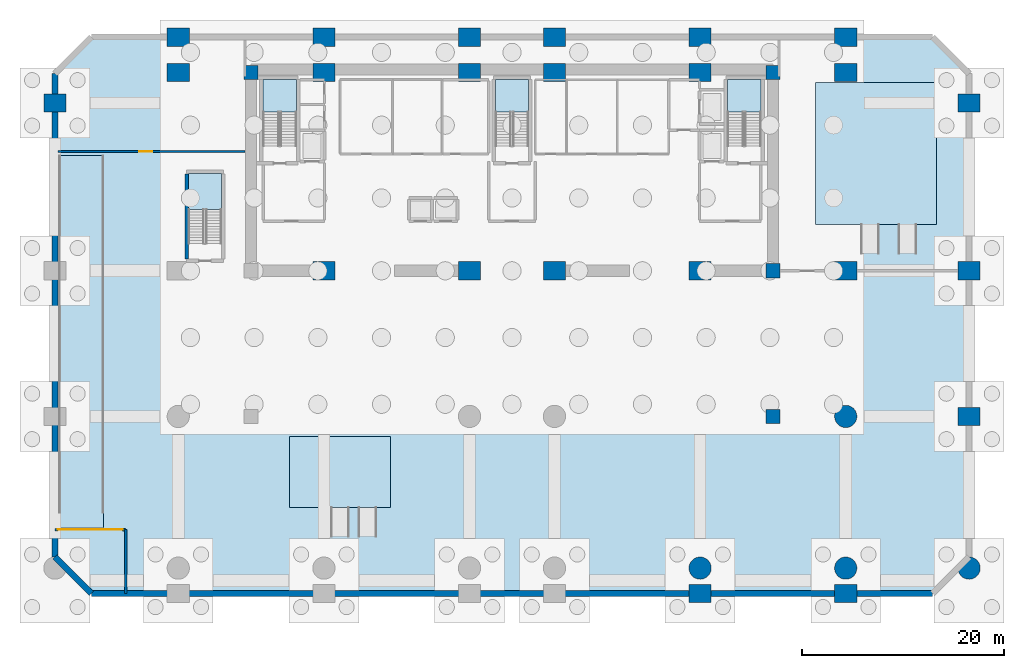
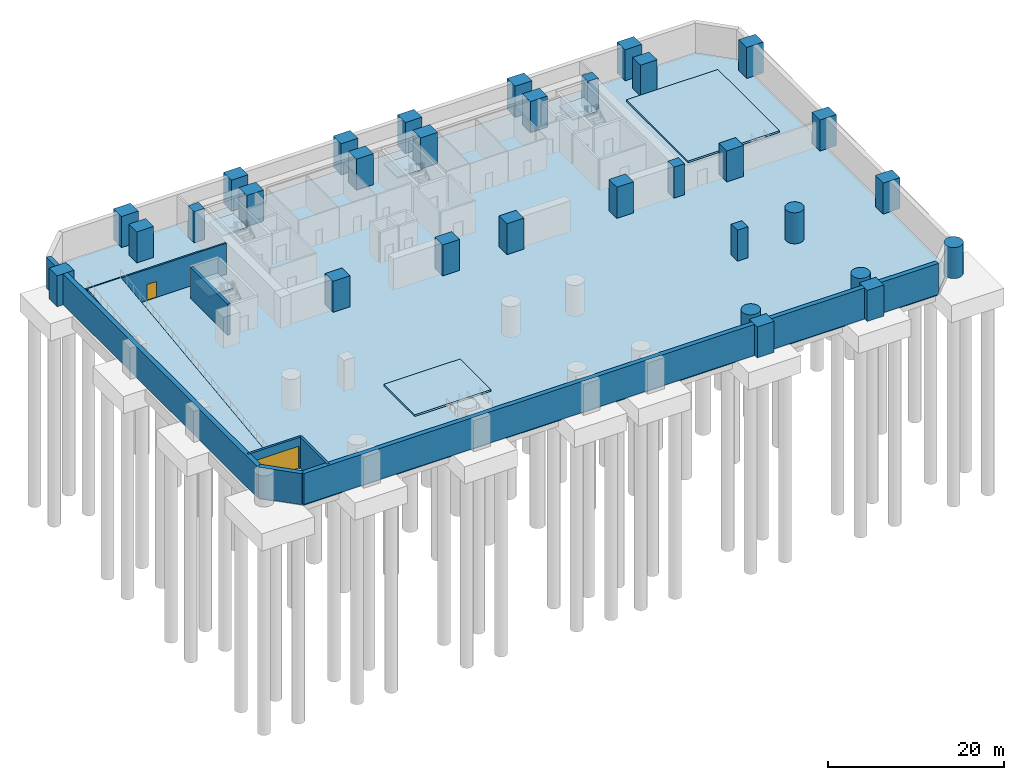
# One storey, part 2 of 10: 31 columns, 8 slabs, 7 walls, 2 doors, 2 openings, 4 elements without a shape of their own.
"""IFC4 building model written with IfcOpenShell, lengths in metres."""

from ifc_helpers import new_model, si_unit, direction, frame, frame_2d, origin, origin_2d, place, context, subcontext, project, spatial, polyline, rectangle, circle, outline, extrude, material, layer, layer_set, material_profile, profile_set, type_object, element, fill, aggregate, save


model = new_model("IFC4")

# Units and contexts
model_context = context("Model", 3, precision=1e-05, world=origin(), true_north=direction((0.0, 1.0)))
body_context = subcontext(model_context, "Body", "Model", "MODEL_VIEW")
ifc_project = project(units=[si_unit("LENGTHUNIT", "METRE"), si_unit("AREAUNIT", "SQUARE_METRE"), si_unit("VOLUMEUNIT", "CUBIC_METRE"), si_unit("PLANEANGLEUNIT", "RADIAN"), si_unit("MASSUNIT", "GRAM", prefix="KILO")], contexts=[model_context])

# Site, building, storey
site_placement = place(None, origin())
site = spatial("IfcSite", under=ifc_project, at=site_placement, CompositionType="ELEMENT")
building_placement = place(site_placement, origin())
building = spatial("IfcBuilding", under=site, at=building_placement, Name="Kaelvorn Grand Hotel", CompositionType="ELEMENT")
storey_placement = place(building_placement, frame((0.0, 0.0, -9.199951171875)))
storey = spatial("IfcBuildingStorey", under=building, at=storey_placement, Name="B02", CompositionType="ELEMENT", Elevation=-9.199951171875)

# Columns
ifc_material_1 = material(Name="Concrete C80/95", Category="concrete")
ifc_material_profile_1 = material_profile(ifc_material_1, rectangle(XDim=2.199951171875, YDim=1.800048828125, at=origin_2d()), Name="PILOTIS 2200x1800")
ifc_profile_set_1 = profile_set([ifc_material_profile_1], Name="Concrete C80/95")
column_type_1 = type_object("IfcColumnType", Name="COL-PILOTIS-2200x1800", PredefinedType="USERDEFINED", material=ifc_profile_set_1)
for number, where, z_axis, x_axis, name in (
    (1, (60.60009765625, -2.5, 0.0), (0.0, 0.0, 1.0), (1.0, 0.0, 0.0), "B02 Pilotis Mega Column PSP-06"),
    (2, (75.0, -2.5, 0.0), (0.0, 0.0, 1.0), (1.0, 0.0, 0.0), "B02 Pilotis Mega Column PSP-07"),
    (3, (87.199951171875, 15.0, 0.0), (0.0, 0.0, 1.0), (1.0, 0.0, 0.0), "B02 Pilotis Mega Column PE-01"),
    (4, (87.199951171875, 29.39990234375, 0.0), (0.0, 0.0, 1.0), (1.0, 0.0, 0.0), "B02 Pilotis Mega Column PE-02"),
    (5, (-3.199951171875, 46.0, 0.0), (0.0, 0.0, 1.0), (1.0, 0.0, 0.0), "B02 Pilotis Mega Column PW-03"),
    (6, (87.199951171875, 46.0, 0.0), (0.0, 0.0, 1.0), (1.0, 0.0, 0.0), "B02 Pilotis Mega Column PE-03"),
    (7, (9.0, 49.0, 0.0), (0.0, 0.0, 1.0), (1.0, 0.0, 0.0), "B02 Pilotis Mega Column PN-01"),
    (8, (9.0, 52.5, 0.0), (0.0, 0.0, 1.0), (1.0, 0.0, 0.0), "B02 Pilotis Mega Column PNP-01"),
    (9, (23.39990234375, 29.39990234375, 0.0), (0.0, 0.0, 1.0), (1.0, 0.0, 0.0), "B02 Pilotis Mega Column PC-02"),
    (10, (23.39990234375, 49.0, 0.0), (0.0, 0.0, 1.0), (1.0, 0.0, 0.0), "B02 Pilotis Mega Column PN-02"),
    (11, (23.39990234375, 52.5, 0.0), (0.0, 0.0, 1.0), (1.0, 0.0, 0.0), "B02 Pilotis Mega Column PNP-02"),
    (12, (37.800048828125, 29.39990234375, 0.0), (0.0, 0.0, 1.0), (1.0, 0.0, 0.0), "B02 Pilotis Mega Column PC-03"),
    (13, (37.800048828125, 49.0, 0.0), (0.0, 0.0, 1.0), (1.0, 0.0, 0.0), "B02 Pilotis Mega Column PN-03"),
    (14, (37.800048828125, 52.5, 0.0), (0.0, 0.0, 1.0), (1.0, 0.0, 0.0), "B02 Pilotis Mega Column PNP-03"),
    (15, (46.199951171875, 29.39990234375, 0.0), (0.0, 0.0, 1.0), (1.0, 0.0, 0.0), "B02 Pilotis Mega Column PC-04"),
    (16, (46.199951171875, 49.0, 0.0), (0.0, 0.0, 1.0), (1.0, 0.0, 0.0), "B02 Pilotis Mega Column PN-04"),
    (17, (46.199951171875, 52.5, 0.0), (0.0, 0.0, 1.0), (1.0, 0.0, 0.0), "B02 Pilotis Mega Column PNP-04"),
    (18, (60.60009765625, 29.39990234375, 0.0), (0.0, 0.0, 1.0), (1.0, 0.0, 0.0), "B02 Pilotis Mega Column PC-05"),
    (19, (60.60009765625, 49.0, 0.0), (0.0, 0.0, 1.0), (1.0, 0.0, 0.0), "B02 Pilotis Mega Column PN-05"),
    (20, (60.60009765625, 52.5, 0.0), (0.0, 0.0, 1.0), (1.0, 0.0, 0.0), "B02 Pilotis Mega Column PNP-05"),
    (21, (75.0, 29.39990234375, 0.0), (0.0, 0.0, 1.0), (1.0, 0.0, 0.0), "B02 Pilotis Mega Column PC-06"),
    (22, (75.0, 49.0, 0.0), (0.0, 0.0, 1.0), (1.0, 0.0, 0.0), "B02 Pilotis Mega Column PN-06"),
    (23, (75.0, 52.5, 0.0), (0.0, 0.0, 1.0), (1.0, 0.0, 0.0), "B02 Pilotis Mega Column PNP-06"),
):
    element("IfcColumn", number, at=place(storey_placement, frame(where, z_axis=z_axis, x_axis=x_axis)), inside=storey, type_object=column_type_1, Name=name, ObjectType="PILOTIS", PredefinedType="USERDEFINED", context=body_context, shape_type="SweptSolid", body=[
        extrude(rectangle(XDim=2.199951171875, YDim=1.800048828125, at=origin_2d()), origin(), (0.0, 0.0, 1.0), 4.300048828125),
    ])
ifc_material_profile_2 = material_profile(ifc_material_1, circle(Radius=1.10009765625, at=origin_2d()), Name="PILOTIS D2200")
ifc_profile_set_2 = profile_set([ifc_material_profile_2], Name="Concrete C80/95")
column_type_2 = type_object("IfcColumnType", Name="COL-PILOTIS-D2200", PredefinedType="USERDEFINED", material=ifc_profile_set_2)
for number, where, z_axis, x_axis, name in (
    (24, (60.60009765625, 0.0, 0.0), (0.0, 0.0, 1.0), (1.0, 0.0, 0.0), "B02 Pilotis Mega Column PS-06"),
    (25, (75.0, 0.0, 0.0), (0.0, 0.0, 1.0), (1.0, 0.0, 0.0), "B02 Pilotis Mega Column PS-07"),
    (26, (87.199951171875, 0.0, 0.0), (0.0, 0.0, 1.0), (1.0, 0.0, 0.0), "B02 Pilotis Mega Column PS-08"),
    (27, (75.0, 15.0, 0.0), (0.0, 0.0, 1.0), (1.0, 0.0, 0.0), "B02 Pilotis Mega Column PM-04"),
):
    element("IfcColumn", number, at=place(storey_placement, frame(where, z_axis=z_axis, x_axis=x_axis)), inside=storey, type_object=column_type_2, Name=name, ObjectType="PILOTIS", PredefinedType="USERDEFINED", context=body_context, shape_type="SweptSolid", body=[
        extrude(circle(Radius=1.10009765625, at=origin_2d()), origin(), (0.0, 0.0, 1.0), 4.300048828125),
    ])
ifc_material_profile_3 = material_profile(ifc_material_1, rectangle(XDim=1.39990234375, YDim=1.39990234375, at=origin_2d()), Name="RC COL 1400x1400")
ifc_profile_set_3 = profile_set([ifc_material_profile_3], Name="Concrete C80/95")
column_type_3 = type_object("IfcColumnType", Name="COL-RC-1400-C80", PredefinedType="COLUMN", material=ifc_profile_set_3)
for number, where, z_axis, x_axis, name in (
    (28, (67.800048828125, 15.0, 0.0), (0.0, 0.0, 1.0), (1.0, 0.0, 0.0), "B02 Structural Column PMR-02"),
    (29, (16.199951171875, 49.0, 0.0), (0.0, 0.0, 1.0), (1.0, 0.0, 0.0), "B02 Structural Column PNR-01"),
    (30, (67.800048828125, 29.39990234375, 0.0), (0.0, 0.0, 1.0), (1.0, 0.0, 0.0), "B02 Structural Column PCR-02"),
    (31, (67.800048828125, 49.0, 0.0), (0.0, 0.0, 1.0), (1.0, 0.0, 0.0), "B02 Structural Column PNR-02"),
):
    element("IfcColumn", number, at=place(storey_placement, frame(where, z_axis=z_axis, x_axis=x_axis)), inside=storey, type_object=column_type_3, Name=name, PredefinedType="COLUMN", context=body_context, shape_type="SweptSolid", body=[
        extrude(rectangle(XDim=1.39990234375, YDim=1.39990234375, at=origin_2d()), origin(), (0.0, 0.0, 1.0), 4.300048828125),
    ])

# Slabs
ifc_material_2 = material(Name="Concrete C40/50", Category="concrete")
ifc_layer_1 = layer(ifc_material_2, 0.25)
ifc_layer_set_1 = layer_set([ifc_layer_1], Name="Concrete C40/50")
slab_type_1 = type_object("IfcSlabType", Name="SLB-APRON-250-C40", PredefinedType="BASESLAB", material=ifc_layer_set_1)
slab_1_placement = place(storey_placement, origin())
element("IfcSlab", 32, at=slab_1_placement, inside=storey, type_object=slab_type_1, Name="B02 Plant Equipment Plinth Slab 1", PredefinedType="BASESLAB", context=body_context, shape_type="SweptSolid", body=[
    extrude(outline(polyline([(72.0, 34.0), (84.0, 34.0), (84.0, 48.0), (72.0, 48.0), (72.0, 34.0)])), origin(), (0.0, 0.0, 1.0), 0.239990234375),
])
slab_2_placement = place(storey_placement, origin())
element("IfcSlab", 33, at=slab_2_placement, inside=storey, type_object=slab_type_1, Name="B02 Plant Equipment Plinth Slab 2", PredefinedType="BASESLAB", context=body_context, shape_type="SweptSolid", body=[
    extrude(outline(polyline([(20.0, 6.0), (30.0, 6.0), (30.0, 13.0), (20.0, 13.0), (20.0, 6.0)])), origin(), (0.0, 0.0, 1.0), 0.239990234375),
])
ifc_material_3 = material(Name="Concrete C50/60", Category="concrete")
ifc_layer_2 = layer(ifc_material_3, 0.35009765625)
ifc_layer_set_2 = layer_set([ifc_layer_2], Name="Concrete C50/60")
slab_type_2 = type_object("IfcSlabType", Name="SLB-BASE-350-C50", PredefinedType="BASESLAB", material=ifc_layer_set_2)
slab_3_placement = place(storey_placement, frame((0.0, 0.0, -0.35009765625)))
element("IfcSlab", 34, at=slab_3_placement, inside=storey, type_object=slab_type_2, Name="B02 Basement Mat Top Slab", PredefinedType="BASESLAB", context=body_context, shape_type="SweptSolid", body=[
    extrude(outline(polyline([(0.39990234375, -2.5), (83.60009765625, -2.5), (87.199951171875, 1.10009765625), (87.199951171875, 48.89990234375), (83.60009765625, 52.5), (0.39990234375, 52.5), (-3.199951171875, 48.89990234375), (-3.199951171875, 1.10009765625), (0.39990234375, -2.5)]), holes=[polyline([(-2.820068359375, 3.97998046875), (-2.820068359375, 6.85009765625), (1.6201171875, 6.85009765625), (1.6201171875, 3.97998046875), (-2.820068359375, 3.97998046875)])]), origin(), (0.0, 0.0, 1.0), 0.35009765625),
])

# Stair, slab
stair_type = type_object("IfcStairType", Name="STR-DOG-1560-R01", PredefinedType="HALF_TURN_STAIR", material=ifc_material_2)
stair_1_placement = place(storey_placement, origin())
stair_1 = element("IfcStair", 35, at=stair_1_placement, inside=storey, type_object=stair_type, Name="B02 West Core Exit Stair ST1", PredefinedType="HALF_TURN_STAIR")
ifc_layer_3 = layer(ifc_material_2, 0.199951171875)
ifc_layer_set_3 = layer_set([ifc_layer_3], Name="Concrete C40/50")
slab_type_3 = type_object("IfcSlabType", Name="SLB-LAND-200-C40", PredefinedType="LANDING", material=ifc_layer_set_3)
slab_4_placement = place(storey_placement, frame((0.0, 0.0, 2.099853515625)))
slab_4 = element("IfcSlab", 36, at=slab_4_placement, type_object=slab_type_3, Name="ST1 landing 1", PredefinedType="LANDING", context=body_context, shape_type="SweptSolid", body=[
    extrude(outline(polyline([(20.679931640625, 45.1201171875), (20.679931640625, 48.300048828125), (17.39990234375, 48.300048828125), (17.39990234375, 45.1201171875), (20.679931640625, 45.1201171875)])), origin(), (0.0, 0.0, 1.0), 0.2001953125),
])
aggregate(stair_1, [slab_4])

stair_2_placement = place(storey_placement, origin())
stair_2 = element("IfcStair", 37, at=stair_2_placement, inside=storey, type_object=stair_type, Name="B02 Central Core Exit Stair ST2", PredefinedType="HALF_TURN_STAIR")
slab_5_placement = place(storey_placement, frame((0.0, 0.0, 2.099853515625)))
slab_5 = element("IfcSlab", 38, at=slab_5_placement, type_object=slab_type_3, Name="ST2 landing 1", PredefinedType="LANDING", context=body_context, shape_type="SweptSolid", body=[
    extrude(outline(polyline([(43.639892578125, 45.1201171875), (43.639892578125, 48.300048828125), (40.360107421875, 48.300048828125), (40.360107421875, 45.1201171875), (43.639892578125, 45.1201171875)])), origin(), (0.0, 0.0, 1.0), 0.2001953125),
])
aggregate(stair_2, [slab_5])

stair_3_placement = place(storey_placement, origin())
stair_3 = element("IfcStair", 39, at=stair_3_placement, inside=storey, type_object=stair_type, Name="B02 East Core Exit Stair ST3", PredefinedType="HALF_TURN_STAIR")
slab_6_placement = place(storey_placement, frame((0.0, 0.0, 2.099853515625)))
slab_6 = element("IfcSlab", 40, at=slab_6_placement, type_object=slab_type_3, Name="ST3 landing 1", PredefinedType="LANDING", context=body_context, shape_type="SweptSolid", body=[
    extrude(outline(polyline([(66.60009765625, 45.1201171875), (66.60009765625, 48.300048828125), (63.320068359375, 48.300048828125), (63.320068359375, 45.1201171875), (66.60009765625, 45.1201171875)])), origin(), (0.0, 0.0, 1.0), 0.2001953125),
])
aggregate(stair_3, [slab_6])

stair_4_placement = place(storey_placement, origin())
stair_4 = element("IfcStair", 41, at=stair_4_placement, inside=storey, type_object=stair_type, Name="B02 Podium Grand Stair ST4", PredefinedType="HALF_TURN_STAIR")
slab_7_placement = place(storey_placement, frame((0.0, 0.0, 2.099853515625)))
slab_7 = element("IfcSlab", 42, at=slab_7_placement, type_object=slab_type_3, Name="ST4 landing 1", PredefinedType="LANDING", context=body_context, shape_type="SweptSolid", body=[
    extrude(outline(polyline([(13.280029296875, 35.469970703125), (13.280029296875, 39.0), (10.0, 39.0), (10.0, 35.469970703125), (13.280029296875, 35.469970703125)])), origin(), (0.0, 0.0, 1.0), 0.2001953125),
])
aggregate(stair_4, [slab_7])

# Slab
ifc_layer_4 = layer(ifc_material_2, 0.300048828125)
ifc_layer_set_4 = layer_set([ifc_layer_4], Name="Concrete C40/50")
slab_type_4 = type_object("IfcSlabType", Name="SLB-VRAMP-VR2-300-C40", PredefinedType="FLOOR", material=ifc_layer_set_4)
slab_8_placement = place(storey_placement, frame((-0.60009765625, 3.9951171875, 0.0), z_axis=(0.0, 0.0, 1.0), x_axis=(0.0, 1.0, 0.0)))
element("IfcSlab", 43, at=slab_8_placement, inside=storey, type_object=slab_type_4, Name="B02 Vehicle Car Park Structural Ramp Slab VR2 (B02 to B01)", PredefinedType="FLOOR", context=body_context, shape_type="SweptSolid", body=[
    extrude(outline(polyline([(0.0, 0.0), (36.809814453125, 4.599853515625), (36.809814453125, 4.2998046875), (0.0, -0.300048828125), (0.0, 0.0)])), frame((0.0, 2.2001953125, 0.0), z_axis=(0.0, -1.0, 0.0), x_axis=(1.0, 0.0, 0.0)), (0.0, 0.0, 1.0), 4.400146484375),
])

# Wall, opening, door
ifc_layer_5 = layer(ifc_material_2, 0.280029296875)
ifc_layer_set_5 = layer_set([ifc_layer_5], Name="Concrete C40/50")
wall_type_1 = type_object("IfcWallType", Name="WL-EXT-280-C40", PredefinedType="SOLIDWALL", material=ifc_layer_set_5)
wall_1_placement = place(storey_placement, frame((-3.199951171875, 3.800048828125, 0.0), z_axis=(0.0, 0.0, 1.0), x_axis=(1.0, 0.0, 0.0)))
wall_1 = element("IfcWall", 44, at=wall_1_placement, inside=storey, type_object=wall_type_1, Name="B02 Car Park Ramp Compartment Wall", PredefinedType="SOLIDWALL", context=body_context, shape_type="SweptSolid", body=[
    extrude(rectangle(XDim=7.0, YDim=0.280029296875, at=frame_2d((3.5, 0.0))), origin(), (0.0, 0.0, 1.0), 4.300048828125),
])
opening_1_placement = place(wall_1_placement, frame((0.300048828125, 0.0, 0.0)))
opening_1 = element("IfcOpeningElement", 45, at=opening_1_placement, cuts=wall_1, Name="Opening SHUTTER-B02", PredefinedType="OPENING", context=body_context, shape_type="SweptSolid", body=[
    extrude(rectangle(XDim=6.39990234375, YDim=3.10009765625, at=frame_2d((3.199951171875, 1.550048828125))), frame((0.0, 0.14990234375, 0.0), z_axis=(0.0, -1.0, 0.0), x_axis=(1.0, 0.0, 0.0)), (0.0, 0.0, 1.0), 0.300048828125),
])
ifc_material_4 = material(Name="Anodised Aluminium", Category="aluminium")
door_type_1 = type_object("IfcDoorType", Name="GT-SHUTTER-BSMT-6400x3100", OperationType="NOTDEFINED", PredefinedType="GATE", material=ifc_material_4)
door_1_placement = place(opening_1_placement, origin())
door_1 = element("IfcDoor", 46, at=door_1_placement, inside=storey, type_object=door_type_1, Name="B02 Car Park Fire Compartment Roller Shutter SHUTTER-B02", OperationType="SINGLE_SWING_LEFT", OverallHeight=3.10009765625, OverallWidth=6.39990234375, PredefinedType="GATE", context=body_context, shape_type="SweptSolid", body=[
    extrude(rectangle(XDim=6.39990234375, YDim=3.10009765625, at=frame_2d((3.199951171875, 1.550048828125))), frame((0.0, 0.02490234375, 0.0), z_axis=(0.0, -1.0, 0.0), x_axis=(1.0, 0.0, 0.0)), (0.0, 0.0, 1.0), 0.050048828125),
])
fill(opening_1, door_1)

# Wall
wall_2_placement = place(storey_placement, frame((3.800048828125, 3.800048828125, 0.0), z_axis=(0.0, 0.0, 1.0), x_axis=(0.0, -1.0, 0.0)))
element("IfcWall", 47, at=wall_2_placement, inside=storey, type_object=wall_type_1, Name="B02 Car Park Ramp Compartment Return Wall", PredefinedType="SOLIDWALL", context=body_context, shape_type="SweptSolid", body=[
    extrude(rectangle(XDim=6.300048828125, YDim=0.280029296875, at=frame_2d((3.14990234375, 0.0))), origin(), (0.0, 0.0, 1.0), 4.300048828125),
])

# Wall, opening, door
ifc_layer_6 = layer(ifc_material_2, 0.219970703125)
ifc_layer_set_6 = layer_set([ifc_layer_6], Name="Concrete C40/50")
wall_type_2 = type_object("IfcWallType", Name="WL-PART-220-EI120", PredefinedType="PARTITIONING", material=ifc_layer_set_6)
wall_3_placement = place(storey_placement, frame((-2.89501953125, 41.199951171875, 0.0), z_axis=(0.0, 0.0, 1.0), x_axis=(1.0, 0.0, 0.0)))
wall_3 = element("IfcWall", 48, at=wall_3_placement, inside=storey, type_object=wall_type_2, Name="B02 Domestic & Fire Reserve Water Tank & Pump Room S Partition", PredefinedType="PARTITIONING", context=body_context, shape_type="SweptSolid", body=[
    extrude(rectangle(XDim=18.4951171875, YDim=0.219970703125, at=frame_2d((9.24755859375, 0.0))), origin(), (0.0, 0.0, 1.0), 4.300048828125),
])
opening_2_placement = place(wall_3_placement, frame((8.044921875, 0.0, 0.0)))
opening_2 = element("IfcOpeningElement", 49, at=opening_2_placement, cuts=wall_3, Name="Opening DI6", PredefinedType="OPENING", context=body_context, shape_type="SweptSolid", body=[
    extrude(rectangle(XDim=1.300048828125, YDim=2.199951171875, at=frame_2d((0.64990234375, 1.10009765625))), frame((0.0, 0.1201171875, 0.0), z_axis=(0.0, -1.0, 0.0), x_axis=(1.0, 0.0, 0.0)), (0.0, 0.0, 1.0), 0.239990234375),
])
ifc_material_5 = material(Name="Powder-Coated Steel Leaf", Category="steel")
door_type_2 = type_object("IfcDoorType", Name="DR-INT-PLANT-1300x2200", OperationType="DOUBLE_DOOR_SINGLE_SWING", PredefinedType="DOOR", material=ifc_material_5)
door_2_placement = place(opening_2_placement, origin())
door_2 = element("IfcDoor", 50, at=door_2_placement, inside=storey, type_object=door_type_2, Name="B02 Domestic & Fire Reserve Water Tank & Pump Room Door", OperationType="DOUBLE_DOOR_SINGLE_SWING", OverallHeight=2.199951171875, OverallWidth=1.300048828125, PredefinedType="DOOR", context=body_context, shape_type="SweptSolid", body=[
    extrude(rectangle(XDim=1.300048828125, YDim=2.199951171875, at=frame_2d((0.64990234375, 1.10009765625))), frame((0.0, 0.02490234375, 0.0), z_axis=(0.0, -1.0, 0.0), x_axis=(1.0, 0.0, 0.0)), (0.0, 0.0, 1.0), 0.050048828125),
])
fill(opening_2, door_2)

# Walls
ifc_layer_7 = layer(ifc_material_3, 0.60009765625)
ifc_layer_set_7 = layer_set([ifc_layer_7], Name="Concrete C50/60")
wall_type_3 = type_object("IfcWallType", Name="WL-RET-600-C50", PredefinedType="USERDEFINED", material=ifc_layer_set_7)
wall_4_placement = place(storey_placement, frame((0.39990234375, -2.5, 0.0), z_axis=(0.0, 0.0, 1.0), x_axis=(1.0, 0.0, 0.0)))
element("IfcWall", 51, at=wall_4_placement, inside=storey, type_object=wall_type_3, Name="B02 Perimeter Tanked Retaining Wall 01", ObjectType="RETAININGWALL", PredefinedType="USERDEFINED", context=body_context, shape_type="SweptSolid", body=[
    extrude(rectangle(XDim=83.2001953125, YDim=0.60009765625, at=frame_2d((41.60009765625, 0.0))), origin(), (0.0, 0.0, 1.0), 4.300048828125),
])
wall_5_placement = place(storey_placement, frame((-3.199951171875, 48.89990234375, 0.0), z_axis=(0.0, 0.0, 1.0), x_axis=(0.0, -1.0, 0.0)))
element("IfcWall", 52, at=wall_5_placement, inside=storey, type_object=wall_type_3, Name="B02 Perimeter Tanked Retaining Wall 07", ObjectType="RETAININGWALL", PredefinedType="USERDEFINED", context=body_context, shape_type="SweptSolid", body=[
    extrude(rectangle(XDim=47.7998046875, YDim=0.60009765625, at=frame_2d((23.89990234375, 0.0))), origin(), (0.0, 0.0, 1.0), 4.300048828125),
])
wall_6_placement = place(storey_placement, frame((-3.199951171875, 1.10009765625, 0.0), z_axis=(0.0, 0.0, 1.0), x_axis=(0.707082803744, -0.707130757816, 0.0)))
element("IfcWall", 53, at=wall_6_placement, inside=storey, type_object=wall_type_3, Name="B02 Perimeter Tanked Retaining Wall 08", ObjectType="RETAININGWALL", PredefinedType="USERDEFINED", context=body_context, shape_type="SweptSolid", body=[
    extrude(rectangle(XDim=5.091064453125, YDim=0.60009765625, at=frame_2d((2.54541015625, 0.0))), origin(), (0.0, 0.0, 1.0), 4.300048828125),
])
ifc_material_6 = material(Name="Concrete C60/75", Category="concrete")
ifc_layer_8 = layer(ifc_material_6, 0.35009765625)
ifc_layer_set_8 = layer_set([ifc_layer_8], Name="Concrete C60/75")
wall_type_4 = type_object("IfcWallType", Name="WL-SHAFT-350-C60", PredefinedType="SHEAR", material=ifc_layer_set_8)
wall_7_placement = place(storey_placement, frame((9.824951171875, 30.554931640625, 0.0), z_axis=(0.0, 0.0, 1.0), x_axis=(0.0, 1.0, 0.0)))
element("IfcWall", 54, at=wall_7_placement, inside=storey, type_object=wall_type_4, Name="B02 ST4 Stair Shaft West Wall", PredefinedType="SHEAR", context=body_context, shape_type="SweptSolid", body=[
    extrude(rectangle(XDim=8.440185546875, YDim=0.35009765625, at=frame_2d((4.22021484375, 0.0))), origin(), (0.0, 0.0, 1.0), 4.300048828125),
])

save(model, "model.ifc")
